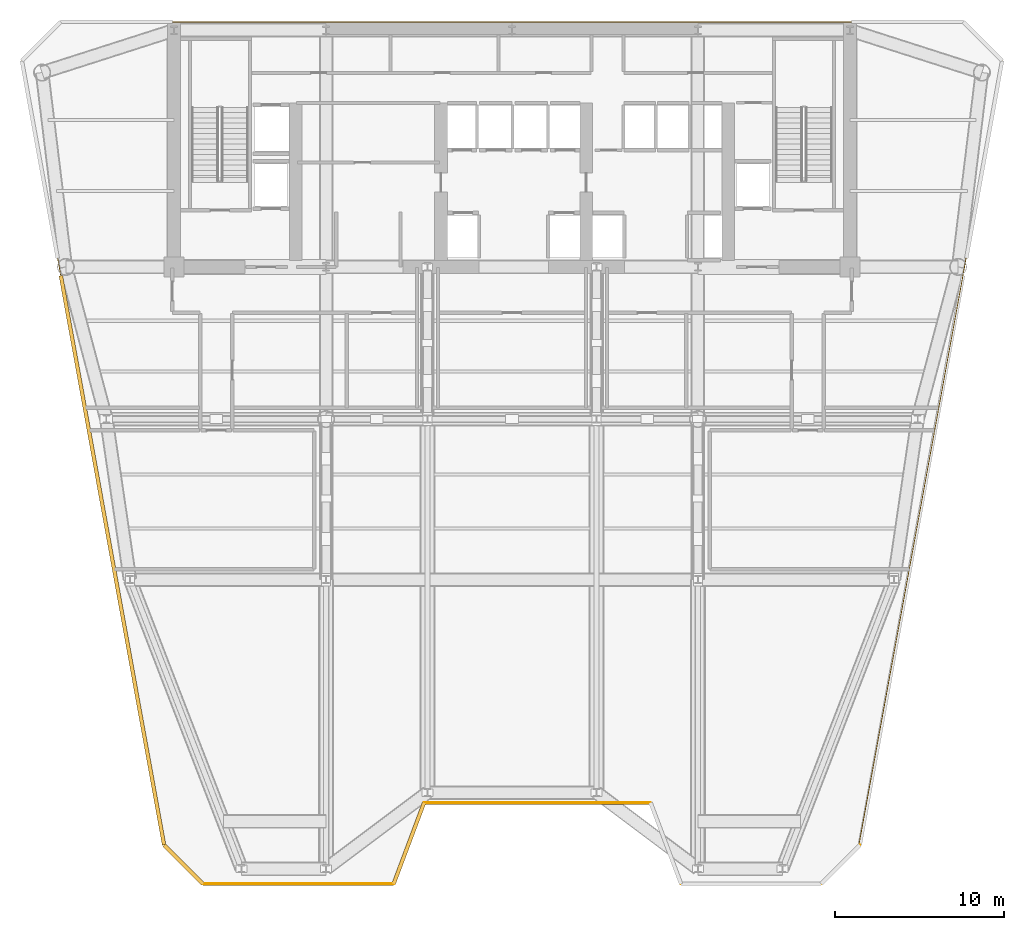
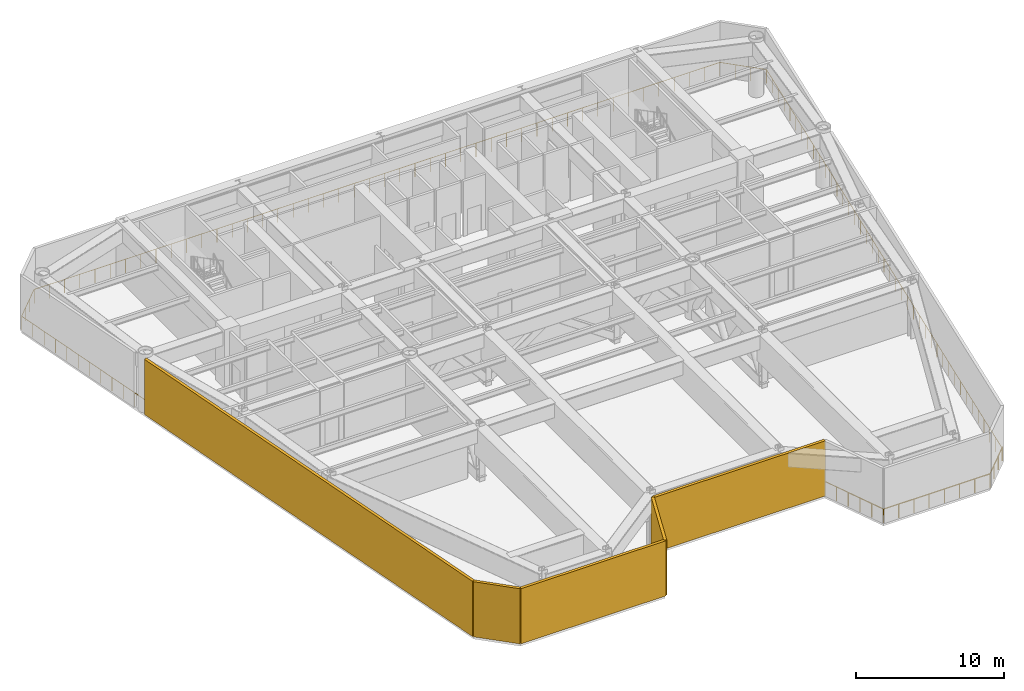
# One storey, part 7 of 10: 5 coverings, 2 railings.
"""IFC4 building model written with IfcOpenShell, lengths in metres."""

from ifc_helpers import new_model, si_unit, direction, frame, origin, origin_2d, place, context, subcontext, project, spatial, rectangle, circle, extrude, source, transform, mapped, material, layer, layer_set, type_object, element, save


model = new_model("IFC4")

# Units and contexts
model_context = context("Model", 3, precision=1e-05, world=origin(), true_north=direction((0.0, 1.0)))
body_context = subcontext(model_context, "Body", "Model", "MODEL_VIEW")
ifc_project = project(units=[si_unit("LENGTHUNIT", "METRE"), si_unit("AREAUNIT", "SQUARE_METRE"), si_unit("VOLUMEUNIT", "CUBIC_METRE"), si_unit("PLANEANGLEUNIT", "RADIAN"), si_unit("MASSUNIT", "GRAM", prefix="KILO")], contexts=[model_context])

# Site, building, storey
site_placement = place(None, origin())
site = spatial("IfcSite", under=ifc_project, at=site_placement, CompositionType="ELEMENT")
building_placement = place(site_placement, origin())
building = spatial("IfcBuilding", under=site, at=building_placement, Name="Vaeldorn Concourse Tower", CompositionType="ELEMENT")
storey_placement = place(building_placement, frame((0.0, 0.0, 149.0)))
storey = spatial("IfcBuildingStorey", under=building, at=storey_placement, Name="L38", CompositionType="ELEMENT", Elevation=149.0)

# Railings
ifc_material = material(Name="Anodised Bronze Aluminium", Category="aluminium")
railing_type = type_object("IfcRailingType", Name="RL-GUARD-1150", PredefinedType="GUARDRAIL", material=ifc_material)
railing_1_placement = place(storey_placement, frame((15.715087890625, 0.0, 0.0)))
element("IfcRailing", 1, at=railing_1_placement, inside=storey, type_object=railing_type, Name="Refuge Band Perimeter Guardrail L38 South", PredefinedType="GUARDRAIL", context=body_context, shape_type="SweptSolid", body=[
    extrude(circle(Radius=0.02392578125, at=origin_2d()), frame((0.0, 0.0, 1.1259765625), z_axis=(1.0, 0.0, 0.0), x_axis=(0.0, 1.0, 0.0)), (0.0, 0.0, 1.0), 11.284912109375),
    extrude(circle(Radius=0.02392578125, at=origin_2d()), frame((11.284912109375, 0.0, 1.1259765625), z_axis=(0.351128660605, 0.936327220421, 0.0), x_axis=(-0.936327220421, 0.351128660605, 0.0)), (0.0, 0.0, 1.0), 5.12646484375),
    extrude(circle(Radius=0.02392578125, at=origin_2d()), frame((13.0849609375, 4.800048828125, 1.1259765625), z_axis=(1.0, 0.0, 0.0), x_axis=(0.0, 1.0, 0.0)), (0.0, 0.0, 1.0), 13.39990234375),
    extrude(circle(Radius=0.02392578125, at=origin_2d()), frame((26.48486328125, 4.800048828125, 1.1259765625), z_axis=(0.351128660605, -0.936327220421, 0.0), x_axis=(0.936327220421, 0.351128660605, 0.0)), (0.0, 0.0, 1.0), 5.12646484375),
    extrude(circle(Radius=0.02392578125, at=origin_2d()), frame((28.284912109375, 0.0, 1.1259765625), z_axis=(1.0, 0.0, 0.0), x_axis=(0.0, 1.0, 0.0)), (0.0, 0.0, 1.0), 8.284912109375),
    extrude(circle(Radius=0.02392578125, at=origin_2d()), frame((36.56982421875, 0.0, 1.1259765625), z_axis=(0.707106781187, 0.707106781187, 0.0), x_axis=(-0.707106781187, 0.707106781187, 0.0)), (0.0, 0.0, 1.0), 3.252685546875),
    extrude(circle(Radius=0.02099609375, at=origin_2d()), origin(), (0.0, 0.0, 1.0), 1.101806640625),
    extrude(circle(Radius=0.02099609375, at=origin_2d()), frame((1.12841796875, 0.0, 0.0)), (0.0, 0.0, 1.0), 1.101806640625),
    extrude(circle(Radius=0.02099609375, at=origin_2d()), frame((2.257080078125, 0.0, 0.0)), (0.0, 0.0, 1.0), 1.101806640625),
    extrude(circle(Radius=0.02099609375, at=origin_2d()), frame((3.385498046875, 0.0, 0.0)), (0.0, 0.0, 1.0), 1.101806640625),
    extrude(circle(Radius=0.02099609375, at=origin_2d()), frame((4.513916015625, 0.0, 0.0)), (0.0, 0.0, 1.0), 1.101806640625),
    extrude(circle(Radius=0.02099609375, at=origin_2d()), frame((5.642578125, 0.0, 0.0)), (0.0, 0.0, 1.0), 1.101806640625),
    extrude(circle(Radius=0.02099609375, at=origin_2d()), frame((6.77099609375, 0.0, 0.0)), (0.0, 0.0, 1.0), 1.101806640625),
    extrude(circle(Radius=0.02099609375, at=origin_2d()), frame((7.8994140625, 0.0, 0.0)), (0.0, 0.0, 1.0), 1.101806640625),
    extrude(circle(Radius=0.02099609375, at=origin_2d()), frame((9.02783203125, 0.0, 0.0)), (0.0, 0.0, 1.0), 1.101806640625),
    extrude(circle(Radius=0.02099609375, at=origin_2d()), frame((10.156494140625, 0.0, 0.0)), (0.0, 0.0, 1.0), 1.101806640625),
    extrude(circle(Radius=0.02099609375, at=origin_2d()), frame((11.284912109375, 0.0, 0.0)), (0.0, 0.0, 1.0), 1.101806640625),
    extrude(circle(Radius=0.02099609375, at=origin_2d()), frame((11.64501953125, 0.9599609375, 0.0)), (0.0, 0.0, 1.0), 1.101806640625),
    extrude(circle(Radius=0.02099609375, at=origin_2d()), frame((12.0048828125, 1.919921875, 0.0)), (0.0, 0.0, 1.0), 1.101806640625),
    extrude(circle(Radius=0.02099609375, at=origin_2d()), frame((12.364990234375, 2.880126953125, 0.0)), (0.0, 0.0, 1.0), 1.101806640625),
    extrude(circle(Radius=0.02099609375, at=origin_2d()), frame((12.724853515625, 3.840087890625, 0.0)), (0.0, 0.0, 1.0), 1.101806640625),
    extrude(circle(Radius=0.02099609375, at=origin_2d()), frame((13.0849609375, 4.800048828125, 0.0)), (0.0, 0.0, 1.0), 1.101806640625),
    extrude(circle(Radius=0.02099609375, at=origin_2d()), frame((14.20166015625, 4.800048828125, 0.0)), (0.0, 0.0, 1.0), 1.101806640625),
    extrude(circle(Radius=0.02099609375, at=origin_2d()), frame((15.318359375, 4.800048828125, 0.0)), (0.0, 0.0, 1.0), 1.101806640625),
    extrude(circle(Radius=0.02099609375, at=origin_2d()), frame((16.43505859375, 4.800048828125, 0.0)), (0.0, 0.0, 1.0), 1.101806640625),
    extrude(circle(Radius=0.02099609375, at=origin_2d()), frame((17.551513671875, 4.800048828125, 0.0)), (0.0, 0.0, 1.0), 1.101806640625),
    extrude(circle(Radius=0.02099609375, at=origin_2d()), frame((18.668212890625, 4.800048828125, 0.0)), (0.0, 0.0, 1.0), 1.101806640625),
    extrude(circle(Radius=0.02099609375, at=origin_2d()), frame((19.784912109375, 4.800048828125, 0.0)), (0.0, 0.0, 1.0), 1.101806640625),
    extrude(circle(Radius=0.02099609375, at=origin_2d()), frame((20.901611328125, 4.800048828125, 0.0)), (0.0, 0.0, 1.0), 1.101806640625),
    extrude(circle(Radius=0.02099609375, at=origin_2d()), frame((22.018310546875, 4.800048828125, 0.0)), (0.0, 0.0, 1.0), 1.101806640625),
    extrude(circle(Radius=0.02099609375, at=origin_2d()), frame((23.134765625, 4.800048828125, 0.0)), (0.0, 0.0, 1.0), 1.101806640625),
    extrude(circle(Radius=0.02099609375, at=origin_2d()), frame((24.25146484375, 4.800048828125, 0.0)), (0.0, 0.0, 1.0), 1.101806640625),
    extrude(circle(Radius=0.02099609375, at=origin_2d()), frame((25.3681640625, 4.800048828125, 0.0)), (0.0, 0.0, 1.0), 1.101806640625),
    extrude(circle(Radius=0.02099609375, at=origin_2d()), frame((26.48486328125, 4.800048828125, 0.0)), (0.0, 0.0, 1.0), 1.101806640625),
    extrude(circle(Radius=0.02099609375, at=origin_2d()), frame((26.844970703125, 3.840087890625, 0.0)), (0.0, 0.0, 1.0), 1.101806640625),
    extrude(circle(Radius=0.02099609375, at=origin_2d()), frame((27.204833984375, 2.880126953125, 0.0)), (0.0, 0.0, 1.0), 1.101806640625),
    extrude(circle(Radius=0.02099609375, at=origin_2d()), frame((27.56494140625, 1.919921875, 0.0)), (0.0, 0.0, 1.0), 1.101806640625),
    extrude(circle(Radius=0.02099609375, at=origin_2d()), frame((27.9248046875, 0.9599609375, 0.0)), (0.0, 0.0, 1.0), 1.101806640625),
    extrude(circle(Radius=0.02099609375, at=origin_2d()), frame((28.284912109375, 0.0, 0.0)), (0.0, 0.0, 1.0), 1.101806640625),
    extrude(circle(Radius=0.02099609375, at=origin_2d()), frame((29.468505859375, 0.0, 0.0)), (0.0, 0.0, 1.0), 1.101806640625),
    extrude(circle(Radius=0.02099609375, at=origin_2d()), frame((30.652099609375, 0.0, 0.0)), (0.0, 0.0, 1.0), 1.101806640625),
    extrude(circle(Radius=0.02099609375, at=origin_2d()), frame((31.835693359375, 0.0, 0.0)), (0.0, 0.0, 1.0), 1.101806640625),
    extrude(circle(Radius=0.02099609375, at=origin_2d()), frame((33.01904296875, 0.0, 0.0)), (0.0, 0.0, 1.0), 1.101806640625),
    extrude(circle(Radius=0.02099609375, at=origin_2d()), frame((34.20263671875, 0.0, 0.0)), (0.0, 0.0, 1.0), 1.101806640625),
    extrude(circle(Radius=0.02099609375, at=origin_2d()), frame((35.38623046875, 0.0, 0.0)), (0.0, 0.0, 1.0), 1.101806640625),
    extrude(circle(Radius=0.02099609375, at=origin_2d()), frame((36.56982421875, 0.0, 0.0)), (0.0, 0.0, 1.0), 1.101806640625),
    extrude(circle(Radius=0.02099609375, at=origin_2d()), frame((37.33642578125, 0.7666015625, 0.0)), (0.0, 0.0, 1.0), 1.101806640625),
    extrude(circle(Radius=0.02099609375, at=origin_2d()), frame((38.103271484375, 1.533447265625, 0.0)), (0.0, 0.0, 1.0), 1.101806640625),
    extrude(circle(Radius=0.02099609375, at=origin_2d()), frame((38.869873046875, 2.300048828125, 0.0)), (0.0, 0.0, 1.0), 1.101806640625),
])
railing_2_placement = place(storey_placement, frame((54.52490234375, 2.300048828125, 0.0)))
element("IfcRailing", 2, at=railing_2_placement, inside=storey, type_object=railing_type, Name="Refuge Band Perimeter Guardrail L38 North", PredefinedType="GUARDRAIL", context=body_context, shape_type="SweptSolid", body=[
    extrude(circle(Radius=0.02392578125, at=origin_2d()), frame((0.0, 0.0, 1.1259765625), z_axis=(0.179680666243, 0.983724991132, 0.0), x_axis=(-0.983724991132, 0.179680666243, 0.0)), (0.0, 0.0, 1.0), 47.16748046875),
    extrude(circle(Radius=0.02392578125, at=origin_2d()), frame((8.47509765625, 46.39990234375, 1.1259765625), z_axis=(-0.707106781187, 0.707106781187, 0.0), x_axis=(-0.707106781187, -0.707106781187, 0.0)), (0.0, 0.0, 1.0), 3.252685546875),
    extrude(circle(Radius=0.02392578125, at=origin_2d()), frame((6.175048828125, 48.699951171875, 1.1259765625), z_axis=(-1.0, 0.0, 0.0), x_axis=(0.0, -1.0, 0.0)), (0.0, 0.0, 1.0), 53.39990234375),
    extrude(circle(Radius=0.02392578125, at=origin_2d()), frame((-47.224853515625, 48.699951171875, 1.1259765625), z_axis=(-0.707106781187, -0.707106781187, 0.0), x_axis=(0.707106781187, -0.707106781187, 0.0)), (0.0, 0.0, 1.0), 3.252685546875),
    extrude(circle(Radius=0.02392578125, at=origin_2d()), frame((-49.52490234375, 46.39990234375, 1.1259765625), z_axis=(0.178448049884, -0.98394933482, 0.0), x_axis=(0.98394933482, 0.178448049884, 0.0)), (0.0, 0.0, 1.0), 47.15673828125),
    extrude(circle(Radius=0.02392578125, at=origin_2d()), frame((-41.10986328125, 0.0, 1.1259765625), z_axis=(0.716124184147, -0.697972888356, 0.0), x_axis=(0.697972888356, 0.716124184147, 0.0)), (0.0, 0.0, 1.0), 3.29541015625),
    extrude(circle(Radius=0.02099609375, at=origin_2d()), origin(), (0.0, 0.0, 1.0), 1.101806640625),
    extrude(circle(Radius=0.02099609375, at=origin_2d()), frame((0.2119140625, 1.159912109375, 0.0)), (0.0, 0.0, 1.0), 1.101806640625),
    extrude(circle(Radius=0.02099609375, at=origin_2d()), frame((0.423828125, 2.320068359375, 0.0)), (0.0, 0.0, 1.0), 1.101806640625),
    extrude(circle(Radius=0.02099609375, at=origin_2d()), frame((0.6357421875, 3.47998046875, 0.0)), (0.0, 0.0, 1.0), 1.101806640625),
    extrude(circle(Radius=0.02099609375, at=origin_2d()), frame((0.847412109375, 4.639892578125, 0.0)), (0.0, 0.0, 1.0), 1.101806640625),
    extrude(circle(Radius=0.02099609375, at=origin_2d()), frame((1.059326171875, 5.800048828125, 0.0)), (0.0, 0.0, 1.0), 1.101806640625),
    extrude(circle(Radius=0.02099609375, at=origin_2d()), frame((1.271240234375, 6.9599609375, 0.0)), (0.0, 0.0, 1.0), 1.101806640625),
    extrude(circle(Radius=0.02099609375, at=origin_2d()), frame((1.483154296875, 8.119873046875, 0.0)), (0.0, 0.0, 1.0), 1.101806640625),
    extrude(circle(Radius=0.02099609375, at=origin_2d()), frame((1.695068359375, 9.280029296875, 0.0)), (0.0, 0.0, 1.0), 1.101806640625),
    extrude(circle(Radius=0.02099609375, at=origin_2d()), frame((1.906982421875, 10.43994140625, 0.0)), (0.0, 0.0, 1.0), 1.101806640625),
    extrude(circle(Radius=0.02099609375, at=origin_2d()), frame((2.11865234375, 11.60009765625, 0.0)), (0.0, 0.0, 1.0), 1.101806640625),
    extrude(circle(Radius=0.02099609375, at=origin_2d()), frame((2.33056640625, 12.760009765625, 0.0)), (0.0, 0.0, 1.0), 1.101806640625),
    extrude(circle(Radius=0.02099609375, at=origin_2d()), frame((2.54248046875, 13.919921875, 0.0)), (0.0, 0.0, 1.0), 1.101806640625),
    extrude(circle(Radius=0.02099609375, at=origin_2d()), frame((2.75439453125, 15.080078125, 0.0)), (0.0, 0.0, 1.0), 1.101806640625),
    extrude(circle(Radius=0.02099609375, at=origin_2d()), frame((2.96630859375, 16.239990234375, 0.0)), (0.0, 0.0, 1.0), 1.101806640625),
    extrude(circle(Radius=0.02099609375, at=origin_2d()), frame((3.17822265625, 17.39990234375, 0.0)), (0.0, 0.0, 1.0), 1.101806640625),
    extrude(circle(Radius=0.02099609375, at=origin_2d()), frame((3.39013671875, 18.56005859375, 0.0)), (0.0, 0.0, 1.0), 1.101806640625),
    extrude(circle(Radius=0.02099609375, at=origin_2d()), frame((3.601806640625, 19.719970703125, 0.0)), (0.0, 0.0, 1.0), 1.101806640625),
    extrude(circle(Radius=0.02099609375, at=origin_2d()), frame((3.813720703125, 20.8798828125, 0.0)), (0.0, 0.0, 1.0), 1.101806640625),
    extrude(circle(Radius=0.02099609375, at=origin_2d()), frame((4.025634765625, 22.0400390625, 0.0)), (0.0, 0.0, 1.0), 1.101806640625),
    extrude(circle(Radius=0.02099609375, at=origin_2d()), frame((4.237548828125, 23.199951171875, 0.0)), (0.0, 0.0, 1.0), 1.101806640625),
    extrude(circle(Radius=0.02099609375, at=origin_2d()), frame((4.449462890625, 24.35986328125, 0.0)), (0.0, 0.0, 1.0), 1.101806640625),
    extrude(circle(Radius=0.02099609375, at=origin_2d()), frame((4.661376953125, 25.52001953125, 0.0)), (0.0, 0.0, 1.0), 1.101806640625),
    extrude(circle(Radius=0.02099609375, at=origin_2d()), frame((4.873291015625, 26.679931640625, 0.0)), (0.0, 0.0, 1.0), 1.101806640625),
    extrude(circle(Radius=0.02099609375, at=origin_2d()), frame((5.0849609375, 27.83984375, 0.0)), (0.0, 0.0, 1.0), 1.101806640625),
    extrude(circle(Radius=0.02099609375, at=origin_2d()), frame((5.296875, 29.0, 0.0)), (0.0, 0.0, 1.0), 1.101806640625),
    extrude(circle(Radius=0.02099609375, at=origin_2d()), frame((5.5087890625, 30.159912109375, 0.0)), (0.0, 0.0, 1.0), 1.101806640625),
    extrude(circle(Radius=0.02099609375, at=origin_2d()), frame((5.720703125, 31.31982421875, 0.0)), (0.0, 0.0, 1.0), 1.101806640625),
    extrude(circle(Radius=0.02099609375, at=origin_2d()), frame((5.9326171875, 32.47998046875, 0.0)), (0.0, 0.0, 1.0), 1.101806640625),
    extrude(circle(Radius=0.02099609375, at=origin_2d()), frame((6.14453125, 33.639892578125, 0.0)), (0.0, 0.0, 1.0), 1.101806640625),
    extrude(circle(Radius=0.02099609375, at=origin_2d()), frame((6.3564453125, 34.7998046875, 0.0)), (0.0, 0.0, 1.0), 1.101806640625),
    extrude(circle(Radius=0.02099609375, at=origin_2d()), frame((6.568115234375, 35.9599609375, 0.0)), (0.0, 0.0, 1.0), 1.101806640625),
    extrude(circle(Radius=0.02099609375, at=origin_2d()), frame((6.780029296875, 37.119873046875, 0.0)), (0.0, 0.0, 1.0), 1.101806640625),
    extrude(circle(Radius=0.02099609375, at=origin_2d()), frame((6.991943359375, 38.280029296875, 0.0)), (0.0, 0.0, 1.0), 1.101806640625),
    extrude(circle(Radius=0.02099609375, at=origin_2d()), frame((7.203857421875, 39.43994140625, 0.0)), (0.0, 0.0, 1.0), 1.101806640625),
    extrude(circle(Radius=0.02099609375, at=origin_2d()), frame((7.415771484375, 40.599853515625, 0.0)), (0.0, 0.0, 1.0), 1.101806640625),
    extrude(circle(Radius=0.02099609375, at=origin_2d()), frame((7.627685546875, 41.760009765625, 0.0)), (0.0, 0.0, 1.0), 1.101806640625),
    extrude(circle(Radius=0.02099609375, at=origin_2d()), frame((7.83935546875, 42.919921875, 0.0)), (0.0, 0.0, 1.0), 1.101806640625),
    extrude(circle(Radius=0.02099609375, at=origin_2d()), frame((8.05126953125, 44.079833984375, 0.0)), (0.0, 0.0, 1.0), 1.101806640625),
    extrude(circle(Radius=0.02099609375, at=origin_2d()), frame((8.26318359375, 45.239990234375, 0.0)), (0.0, 0.0, 1.0), 1.101806640625),
    extrude(circle(Radius=0.02099609375, at=origin_2d()), frame((8.47509765625, 46.39990234375, 0.0)), (0.0, 0.0, 1.0), 1.101806640625),
    extrude(circle(Radius=0.02099609375, at=origin_2d()), frame((7.70849609375, 47.16650390625, 0.0)), (0.0, 0.0, 1.0), 1.101806640625),
    extrude(circle(Radius=0.02099609375, at=origin_2d()), frame((6.941650390625, 47.933349609375, 0.0)), (0.0, 0.0, 1.0), 1.101806640625),
    extrude(circle(Radius=0.02099609375, at=origin_2d()), frame((6.175048828125, 48.699951171875, 0.0)), (0.0, 0.0, 1.0), 1.101806640625),
    extrude(circle(Radius=0.02099609375, at=origin_2d()), frame((4.98828125, 48.699951171875, 0.0)), (0.0, 0.0, 1.0), 1.101806640625),
    extrude(circle(Radius=0.02099609375, at=origin_2d()), frame((3.8017578125, 48.699951171875, 0.0)), (0.0, 0.0, 1.0), 1.101806640625),
    extrude(circle(Radius=0.02099609375, at=origin_2d()), frame((2.614990234375, 48.699951171875, 0.0)), (0.0, 0.0, 1.0), 1.101806640625),
    extrude(circle(Radius=0.02099609375, at=origin_2d()), frame((1.428466796875, 48.699951171875, 0.0)), (0.0, 0.0, 1.0), 1.101806640625),
    extrude(circle(Radius=0.02099609375, at=origin_2d()), frame((0.24169921875, 48.699951171875, 0.0)), (0.0, 0.0, 1.0), 1.101806640625),
    extrude(circle(Radius=0.02099609375, at=origin_2d()), frame((-0.94482421875, 48.699951171875, 0.0)), (0.0, 0.0, 1.0), 1.101806640625),
    extrude(circle(Radius=0.02099609375, at=origin_2d()), frame((-2.131591796875, 48.699951171875, 0.0)), (0.0, 0.0, 1.0), 1.101806640625),
    extrude(circle(Radius=0.02099609375, at=origin_2d()), frame((-3.318359375, 48.699951171875, 0.0)), (0.0, 0.0, 1.0), 1.101806640625),
    extrude(circle(Radius=0.02099609375, at=origin_2d()), frame((-4.5048828125, 48.699951171875, 0.0)), (0.0, 0.0, 1.0), 1.101806640625),
    extrude(circle(Radius=0.02099609375, at=origin_2d()), frame((-5.691650390625, 48.699951171875, 0.0)), (0.0, 0.0, 1.0), 1.101806640625),
    extrude(circle(Radius=0.02099609375, at=origin_2d()), frame((-6.878173828125, 48.699951171875, 0.0)), (0.0, 0.0, 1.0), 1.101806640625),
    extrude(circle(Radius=0.02099609375, at=origin_2d()), frame((-8.06494140625, 48.699951171875, 0.0)), (0.0, 0.0, 1.0), 1.101806640625),
    extrude(circle(Radius=0.02099609375, at=origin_2d()), frame((-9.251708984375, 48.699951171875, 0.0)), (0.0, 0.0, 1.0), 1.101806640625),
    extrude(circle(Radius=0.02099609375, at=origin_2d()), frame((-10.438232421875, 48.699951171875, 0.0)), (0.0, 0.0, 1.0), 1.101806640625),
    extrude(circle(Radius=0.02099609375, at=origin_2d()), frame((-11.625, 48.699951171875, 0.0)), (0.0, 0.0, 1.0), 1.101806640625),
    extrude(circle(Radius=0.02099609375, at=origin_2d()), frame((-12.8115234375, 48.699951171875, 0.0)), (0.0, 0.0, 1.0), 1.101806640625),
    extrude(circle(Radius=0.02099609375, at=origin_2d()), frame((-13.998291015625, 48.699951171875, 0.0)), (0.0, 0.0, 1.0), 1.101806640625),
    extrude(circle(Radius=0.02099609375, at=origin_2d()), frame((-15.184814453125, 48.699951171875, 0.0)), (0.0, 0.0, 1.0), 1.101806640625),
    extrude(circle(Radius=0.02099609375, at=origin_2d()), frame((-16.37158203125, 48.699951171875, 0.0)), (0.0, 0.0, 1.0), 1.101806640625),
    extrude(circle(Radius=0.02099609375, at=origin_2d()), frame((-17.558349609375, 48.699951171875, 0.0)), (0.0, 0.0, 1.0), 1.101806640625),
    extrude(circle(Radius=0.02099609375, at=origin_2d()), frame((-18.744873046875, 48.699951171875, 0.0)), (0.0, 0.0, 1.0), 1.101806640625),
    extrude(circle(Radius=0.02099609375, at=origin_2d()), frame((-19.931640625, 48.699951171875, 0.0)), (0.0, 0.0, 1.0), 1.101806640625),
    extrude(circle(Radius=0.02099609375, at=origin_2d()), frame((-21.1181640625, 48.699951171875, 0.0)), (0.0, 0.0, 1.0), 1.101806640625),
    extrude(circle(Radius=0.02099609375, at=origin_2d()), frame((-22.304931640625, 48.699951171875, 0.0)), (0.0, 0.0, 1.0), 1.101806640625),
    extrude(circle(Radius=0.02099609375, at=origin_2d()), frame((-23.491455078125, 48.699951171875, 0.0)), (0.0, 0.0, 1.0), 1.101806640625),
    extrude(circle(Radius=0.02099609375, at=origin_2d()), frame((-24.67822265625, 48.699951171875, 0.0)), (0.0, 0.0, 1.0), 1.101806640625),
    extrude(circle(Radius=0.02099609375, at=origin_2d()), frame((-25.864990234375, 48.699951171875, 0.0)), (0.0, 0.0, 1.0), 1.101806640625),
    extrude(circle(Radius=0.02099609375, at=origin_2d()), frame((-27.051513671875, 48.699951171875, 0.0)), (0.0, 0.0, 1.0), 1.101806640625),
    extrude(circle(Radius=0.02099609375, at=origin_2d()), frame((-28.23828125, 48.699951171875, 0.0)), (0.0, 0.0, 1.0), 1.101806640625),
    extrude(circle(Radius=0.02099609375, at=origin_2d()), frame((-29.4248046875, 48.699951171875, 0.0)), (0.0, 0.0, 1.0), 1.101806640625),
    extrude(circle(Radius=0.02099609375, at=origin_2d()), frame((-30.611572265625, 48.699951171875, 0.0)), (0.0, 0.0, 1.0), 1.101806640625),
    extrude(circle(Radius=0.02099609375, at=origin_2d()), frame((-31.798095703125, 48.699951171875, 0.0)), (0.0, 0.0, 1.0), 1.101806640625),
    extrude(circle(Radius=0.02099609375, at=origin_2d()), frame((-32.98486328125, 48.699951171875, 0.0)), (0.0, 0.0, 1.0), 1.101806640625),
    extrude(circle(Radius=0.02099609375, at=origin_2d()), frame((-34.171630859375, 48.699951171875, 0.0)), (0.0, 0.0, 1.0), 1.101806640625),
    extrude(circle(Radius=0.02099609375, at=origin_2d()), frame((-35.358154296875, 48.699951171875, 0.0)), (0.0, 0.0, 1.0), 1.101806640625),
    extrude(circle(Radius=0.02099609375, at=origin_2d()), frame((-36.544921875, 48.699951171875, 0.0)), (0.0, 0.0, 1.0), 1.101806640625),
    extrude(circle(Radius=0.02099609375, at=origin_2d()), frame((-37.7314453125, 48.699951171875, 0.0)), (0.0, 0.0, 1.0), 1.101806640625),
    extrude(circle(Radius=0.02099609375, at=origin_2d()), frame((-38.918212890625, 48.699951171875, 0.0)), (0.0, 0.0, 1.0), 1.101806640625),
    extrude(circle(Radius=0.02099609375, at=origin_2d()), frame((-40.10498046875, 48.699951171875, 0.0)), (0.0, 0.0, 1.0), 1.101806640625),
    extrude(circle(Radius=0.02099609375, at=origin_2d()), frame((-41.29150390625, 48.699951171875, 0.0)), (0.0, 0.0, 1.0), 1.101806640625),
    extrude(circle(Radius=0.02099609375, at=origin_2d()), frame((-42.478271484375, 48.699951171875, 0.0)), (0.0, 0.0, 1.0), 1.101806640625),
    extrude(circle(Radius=0.02099609375, at=origin_2d()), frame((-43.664794921875, 48.699951171875, 0.0)), (0.0, 0.0, 1.0), 1.101806640625),
    extrude(circle(Radius=0.02099609375, at=origin_2d()), frame((-44.8515625, 48.699951171875, 0.0)), (0.0, 0.0, 1.0), 1.101806640625),
    extrude(circle(Radius=0.02099609375, at=origin_2d()), frame((-46.0380859375, 48.699951171875, 0.0)), (0.0, 0.0, 1.0), 1.101806640625),
    extrude(circle(Radius=0.02099609375, at=origin_2d()), frame((-47.224853515625, 48.699951171875, 0.0)), (0.0, 0.0, 1.0), 1.101806640625),
    extrude(circle(Radius=0.02099609375, at=origin_2d()), frame((-47.991455078125, 47.933349609375, 0.0)), (0.0, 0.0, 1.0), 1.101806640625),
    extrude(circle(Radius=0.02099609375, at=origin_2d()), frame((-48.75830078125, 47.16650390625, 0.0)), (0.0, 0.0, 1.0), 1.101806640625),
    extrude(circle(Radius=0.02099609375, at=origin_2d()), frame((-49.52490234375, 46.39990234375, 0.0)), (0.0, 0.0, 1.0), 1.101806640625),
    extrude(circle(Radius=0.02099609375, at=origin_2d()), frame((-49.314453125, 45.239990234375, 0.0)), (0.0, 0.0, 1.0), 1.101806640625),
    extrude(circle(Radius=0.02099609375, at=origin_2d()), frame((-49.104248046875, 44.079833984375, 0.0)), (0.0, 0.0, 1.0), 1.101806640625),
    extrude(circle(Radius=0.02099609375, at=origin_2d()), frame((-48.893798828125, 42.919921875, 0.0)), (0.0, 0.0, 1.0), 1.101806640625),
    extrude(circle(Radius=0.02099609375, at=origin_2d()), frame((-48.683349609375, 41.760009765625, 0.0)), (0.0, 0.0, 1.0), 1.101806640625),
    extrude(circle(Radius=0.02099609375, at=origin_2d()), frame((-48.47314453125, 40.599853515625, 0.0)), (0.0, 0.0, 1.0), 1.101806640625),
    extrude(circle(Radius=0.02099609375, at=origin_2d()), frame((-48.2626953125, 39.43994140625, 0.0)), (0.0, 0.0, 1.0), 1.101806640625),
    extrude(circle(Radius=0.02099609375, at=origin_2d()), frame((-48.05224609375, 38.280029296875, 0.0)), (0.0, 0.0, 1.0), 1.101806640625),
    extrude(circle(Radius=0.02099609375, at=origin_2d()), frame((-47.841796875, 37.119873046875, 0.0)), (0.0, 0.0, 1.0), 1.101806640625),
    extrude(circle(Radius=0.02099609375, at=origin_2d()), frame((-47.631591796875, 35.9599609375, 0.0)), (0.0, 0.0, 1.0), 1.101806640625),
    extrude(circle(Radius=0.02099609375, at=origin_2d()), frame((-47.421142578125, 34.7998046875, 0.0)), (0.0, 0.0, 1.0), 1.101806640625),
    extrude(circle(Radius=0.02099609375, at=origin_2d()), frame((-47.210693359375, 33.639892578125, 0.0)), (0.0, 0.0, 1.0), 1.101806640625),
    extrude(circle(Radius=0.02099609375, at=origin_2d()), frame((-47.00048828125, 32.47998046875, 0.0)), (0.0, 0.0, 1.0), 1.101806640625),
    extrude(circle(Radius=0.02099609375, at=origin_2d()), frame((-46.7900390625, 31.31982421875, 0.0)), (0.0, 0.0, 1.0), 1.101806640625),
    extrude(circle(Radius=0.02099609375, at=origin_2d()), frame((-46.57958984375, 30.159912109375, 0.0)), (0.0, 0.0, 1.0), 1.101806640625),
    extrude(circle(Radius=0.02099609375, at=origin_2d()), frame((-46.369140625, 29.0, 0.0)), (0.0, 0.0, 1.0), 1.101806640625),
    extrude(circle(Radius=0.02099609375, at=origin_2d()), frame((-46.158935546875, 27.83984375, 0.0)), (0.0, 0.0, 1.0), 1.101806640625),
    extrude(circle(Radius=0.02099609375, at=origin_2d()), frame((-45.948486328125, 26.679931640625, 0.0)), (0.0, 0.0, 1.0), 1.101806640625),
    extrude(circle(Radius=0.02099609375, at=origin_2d()), frame((-45.738037109375, 25.52001953125, 0.0)), (0.0, 0.0, 1.0), 1.101806640625),
    extrude(circle(Radius=0.02099609375, at=origin_2d()), frame((-45.52783203125, 24.35986328125, 0.0)), (0.0, 0.0, 1.0), 1.101806640625),
    extrude(circle(Radius=0.02099609375, at=origin_2d()), frame((-45.3173828125, 23.199951171875, 0.0)), (0.0, 0.0, 1.0), 1.101806640625),
    extrude(circle(Radius=0.02099609375, at=origin_2d()), frame((-45.10693359375, 22.0400390625, 0.0)), (0.0, 0.0, 1.0), 1.101806640625),
    extrude(circle(Radius=0.02099609375, at=origin_2d()), frame((-44.896728515625, 20.8798828125, 0.0)), (0.0, 0.0, 1.0), 1.101806640625),
    extrude(circle(Radius=0.02099609375, at=origin_2d()), frame((-44.686279296875, 19.719970703125, 0.0)), (0.0, 0.0, 1.0), 1.101806640625),
    extrude(circle(Radius=0.02099609375, at=origin_2d()), frame((-44.475830078125, 18.56005859375, 0.0)), (0.0, 0.0, 1.0), 1.101806640625),
    extrude(circle(Radius=0.02099609375, at=origin_2d()), frame((-44.265625, 17.39990234375, 0.0)), (0.0, 0.0, 1.0), 1.101806640625),
    extrude(circle(Radius=0.02099609375, at=origin_2d()), frame((-44.05517578125, 16.239990234375, 0.0)), (0.0, 0.0, 1.0), 1.101806640625),
    extrude(circle(Radius=0.02099609375, at=origin_2d()), frame((-43.8447265625, 15.080078125, 0.0)), (0.0, 0.0, 1.0), 1.101806640625),
    extrude(circle(Radius=0.02099609375, at=origin_2d()), frame((-43.63427734375, 13.919921875, 0.0)), (0.0, 0.0, 1.0), 1.101806640625),
    extrude(circle(Radius=0.02099609375, at=origin_2d()), frame((-43.424072265625, 12.760009765625, 0.0)), (0.0, 0.0, 1.0), 1.101806640625),
    extrude(circle(Radius=0.02099609375, at=origin_2d()), frame((-43.213623046875, 11.60009765625, 0.0)), (0.0, 0.0, 1.0), 1.101806640625),
    extrude(circle(Radius=0.02099609375, at=origin_2d()), frame((-43.003173828125, 10.43994140625, 0.0)), (0.0, 0.0, 1.0), 1.101806640625),
    extrude(circle(Radius=0.02099609375, at=origin_2d()), frame((-42.79296875, 9.280029296875, 0.0)), (0.0, 0.0, 1.0), 1.101806640625),
    extrude(circle(Radius=0.02099609375, at=origin_2d()), frame((-42.58251953125, 8.119873046875, 0.0)), (0.0, 0.0, 1.0), 1.101806640625),
    extrude(circle(Radius=0.02099609375, at=origin_2d()), frame((-42.3720703125, 6.9599609375, 0.0)), (0.0, 0.0, 1.0), 1.101806640625),
    extrude(circle(Radius=0.02099609375, at=origin_2d()), frame((-42.16162109375, 5.800048828125, 0.0)), (0.0, 0.0, 1.0), 1.101806640625),
    extrude(circle(Radius=0.02099609375, at=origin_2d()), frame((-41.951416015625, 4.639892578125, 0.0)), (0.0, 0.0, 1.0), 1.101806640625),
    extrude(circle(Radius=0.02099609375, at=origin_2d()), frame((-41.740966796875, 3.47998046875, 0.0)), (0.0, 0.0, 1.0), 1.101806640625),
    extrude(circle(Radius=0.02099609375, at=origin_2d()), frame((-41.530517578125, 2.320068359375, 0.0)), (0.0, 0.0, 1.0), 1.101806640625),
    extrude(circle(Radius=0.02099609375, at=origin_2d()), frame((-41.3203125, 1.159912109375, 0.0)), (0.0, 0.0, 1.0), 1.101806640625),
    extrude(circle(Radius=0.02099609375, at=origin_2d()), frame((-41.10986328125, 0.0, 0.0)), (0.0, 0.0, 1.0), 1.101806640625),
    extrude(circle(Radius=0.02099609375, at=origin_2d()), frame((-40.3232421875, -0.7666015625, 0.0)), (0.0, 0.0, 1.0), 1.101806640625),
    extrude(circle(Radius=0.02099609375, at=origin_2d()), frame((-39.53662109375, -1.533447265625, 0.0)), (0.0, 0.0, 1.0), 1.101806640625),
    extrude(circle(Radius=0.02099609375, at=origin_2d()), frame((-38.75, -2.300048828125, 0.0)), (0.0, 0.0, 1.0), 1.101806640625),
])

# Coverings
ifc_layer = layer(ifc_material, 1.60009765625)
ifc_layer_set = layer_set([ifc_layer], Name="Anodised Bronze Aluminium")
covering_type = type_object("IfcCoveringType", Name="SD-BRONZE-LOUVRE", PredefinedType="USERDEFINED", material=ifc_layer_set)
shared_shape_1 = source(origin(), body_context, "Body", "SweptSolid", [
    extrude(rectangle(XDim=5.12646484375, YDim=0.219970703125, at=origin_2d()), origin(), (0.0, 0.0, 1.0), 4.5400390625),
])
covering_1_placement = place(storey_placement, frame((27.89990234375, 2.39990234375, 0.0), z_axis=(0.0, 0.0, 1.0), x_axis=(0.351122702609, 0.936329454686, 0.0)))
element("IfcCovering", 3, at=covering_1_placement, inside=storey, type_object=covering_type, Name="Refuge Band Bronze Acoustic Louvre L38-02.1", ObjectType="LOUVRE", PredefinedType="USERDEFINED", context=body_context, shape_type="MappedRepresentation", body=[
    mapped(shared_shape_1, transform((0.0, 0.0, 0.0), scale=1.0)),
])
shared_shape_2 = source(origin(), body_context, "Body", "SweptSolid", [
    extrude(rectangle(XDim=13.39990234375, YDim=0.219970703125, at=origin_2d()), origin(), (0.0, 0.0, 1.0), 4.5400390625),
])
covering_2_placement = place(storey_placement, frame((35.5, 4.800048828125, 0.0), z_axis=(0.0, 0.0, 1.0), x_axis=(1.0, 0.0, 0.0)))
element("IfcCovering", 4, at=covering_2_placement, inside=storey, type_object=covering_type, Name="Refuge Band Bronze Acoustic Louvre L38-03.1", ObjectType="LOUVRE", PredefinedType="USERDEFINED", context=body_context, shape_type="MappedRepresentation", body=[
    mapped(shared_shape_2, transform((0.0, 0.0, 0.0), scale=1.0)),
])
shared_shape_3 = source(origin(), body_context, "Body", "SweptSolid", [
    extrude(rectangle(XDim=3.252685546875, YDim=0.219970703125, at=origin_2d()), origin(), (0.0, 0.0, 1.0), 4.5400390625),
])
covering_3_placement = place(storey_placement, frame((14.56494140625, 1.14990234375, 0.0), z_axis=(0.0, 0.0, 1.0), x_axis=(0.707106781187, -0.707106781187, 0.0)))
element("IfcCovering", 5, at=covering_3_placement, inside=storey, type_object=covering_type, Name="Refuge Band Bronze Acoustic Louvre L38-12.1", ObjectType="LOUVRE", PredefinedType="USERDEFINED", context=body_context, shape_type="MappedRepresentation", body=[
    mapped(shared_shape_3, transform((0.0, 0.0, 0.0), scale=1.0)),
])
shared_shape_4 = source(origin(), body_context, "Body", "SweptSolid", [
    extrude(rectangle(XDim=11.284912109375, YDim=0.219970703125, at=origin_2d()), origin(), (0.0, 0.0, 1.0), 4.5400390625),
])
covering_4_placement = place(storey_placement, frame((21.357421875, 0.0, 0.0), z_axis=(0.0, 0.0, 1.0), x_axis=(1.0, 0.0, 0.0)))
element("IfcCovering", 6, at=covering_4_placement, inside=storey, type_object=covering_type, Name="Refuge Band Bronze Acoustic Louvre L38-01.1", ObjectType="LOUVRE", PredefinedType="USERDEFINED", context=body_context, shape_type="MappedRepresentation", body=[
    mapped(shared_shape_4, transform((0.0, 0.0, 0.0), scale=1.0)),
])
shared_shape_5 = source(origin(), body_context, "Body", "SweptSolid", [
    extrude(rectangle(XDim=34.2314453125, YDim=0.219970703125, at=origin_2d()), origin(), (0.0, 0.0, 1.0), 4.5400390625),
])
covering_5_placement = place(storey_placement, frame((10.36083984375, 19.14111328125, 0.0), z_axis=(0.0, 0.0, 1.0), x_axis=(0.178441590414, -0.983950506281, 0.0)))
element("IfcCovering", 7, at=covering_5_placement, inside=storey, type_object=covering_type, Name="Refuge Band Bronze Acoustic Louvre L38-11.2", ObjectType="LOUVRE", PredefinedType="USERDEFINED", context=body_context, shape_type="MappedRepresentation", body=[
    mapped(shared_shape_5, transform((0.0, 0.0, 0.0), scale=1.0)),
])

save(model, "model.ifc")
